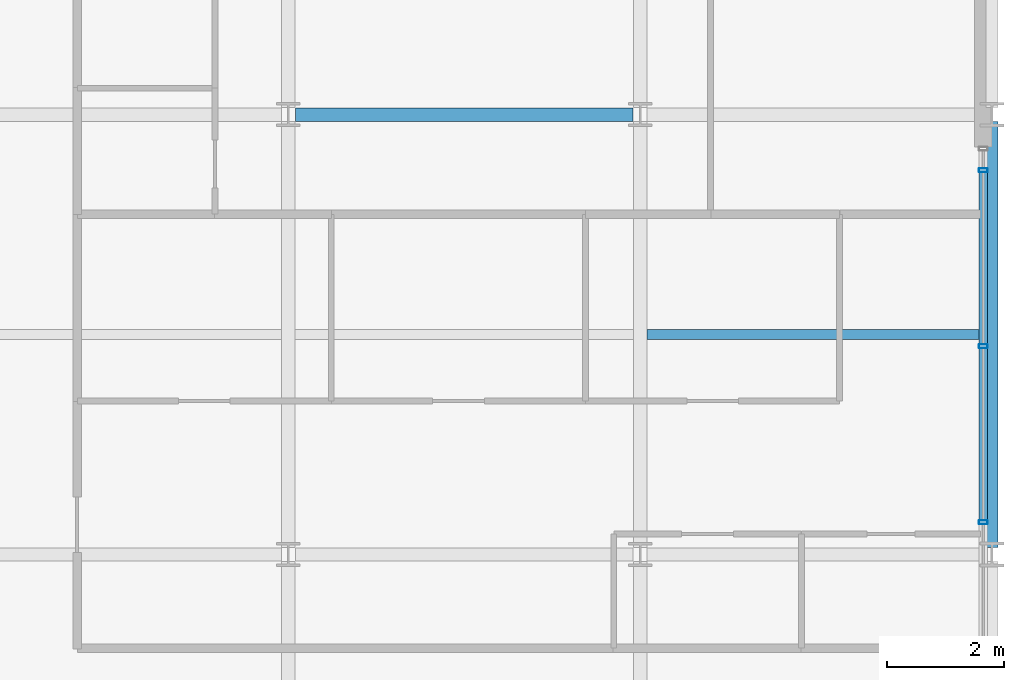
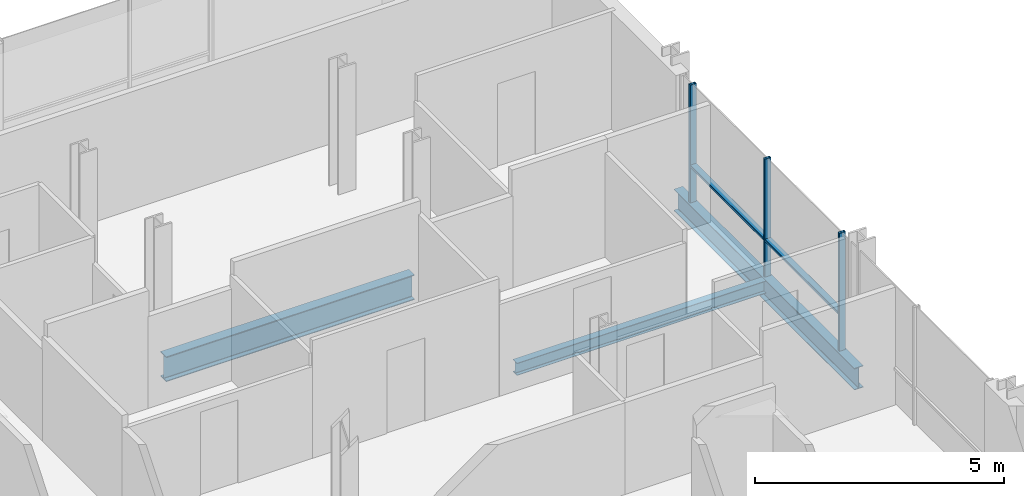
# One storey, part 21 of 41: 5 members, 3 beams, 1 element without a shape of its own.
"""IFC4 building model written with IfcOpenShell, lengths in metres."""

from ifc_helpers import new_model, si_unit, direction, frame, origin, origin_2d, place, context, subcontext, project, spatial, hollow_rectangle, i_section, extrude, material, layer, layer_set, material_profile, profile_set, type_object, element, aggregate, save


model = new_model("IFC4")

# Units and contexts
model_context = context("Model", 3, precision=1e-05, world=origin(), true_north=direction((0.0, 1.0)))
body_context = subcontext(model_context, "Body", "Model", "MODEL_VIEW")
ifc_project = project(units=[si_unit("LENGTHUNIT", "METRE"), si_unit("AREAUNIT", "SQUARE_METRE"), si_unit("VOLUMEUNIT", "CUBIC_METRE"), si_unit("PLANEANGLEUNIT", "RADIAN"), si_unit("MASSUNIT", "GRAM", prefix="KILO")], contexts=[model_context])

# Site, building, storey
site_placement = place(None, origin())
site = spatial("IfcSite", under=ifc_project, at=site_placement, CompositionType="ELEMENT")
building_placement = place(site_placement, origin())
building = spatial("IfcBuilding", under=site, at=building_placement, Name="Brevholm Reach", CompositionType="ELEMENT")
storey_placement = place(building_placement, frame((0.0, 0.0, 169.699951171875)))
storey = spatial("IfcBuildingStorey", under=building, at=storey_placement, Name="L51", CompositionType="ELEMENT", Elevation=169.699951171875)

# Beams
ifc_material_1 = material(Name="Structural Steel S355J2", Category="steel")
ifc_material_profile_1 = material_profile(ifc_material_1, i_section(OverallWidth=0.1650390625, OverallDepth=0.303466796875, WebThickness=0.006103515625, FlangeThickness=0.01025390625, FilletRadius=0.0087890625, at=origin_2d()), Name="UKB 305x165x40")
ifc_profile_set_1 = profile_set([ifc_material_profile_1], Name="Structural Steel S355J2")
beam_type_1 = type_object("IfcBeamType", Name="BM-B305", PredefinedType="BEAM", material=ifc_profile_set_1)
beam_1_placement = place(storey_placement, frame((54.114501953125, 19.75, -0.37158203125), z_axis=(1.0, 0.0, 0.0), x_axis=(0.0, 1.0, 0.0)))
element("IfcBeam", 1, at=beam_1_placement, inside=storey, type_object=beam_type_1, Name="L51 Composite Secondary Floor Beam", PredefinedType="BEAM", context=body_context, shape_type="SweptSolid", body=[
    extrude(i_section(OverallWidth=0.1650390625, OverallDepth=0.303466796875, WebThickness=0.006103515625, FlangeThickness=0.01025390625, FilletRadius=0.0087890625, at=origin_2d()), origin(), (0.0, 0.0, 1.0), 5.78076171875),
])
ifc_material_2 = material(Name="Structural Steel S355J2", Category="steel")
ifc_material_profile_2 = material_profile(ifc_material_2, i_section(OverallWidth=0.209228515625, OverallDepth=0.533203125, WebThickness=0.010009765625, FlangeThickness=0.015625, FilletRadius=0.0126953125, at=origin_2d()), Name="UKB 533x210x92")
ifc_profile_set_2 = profile_set([ifc_material_profile_2], Name="Structural Steel S355J2")
beam_type_2 = type_object("IfcBeamType", Name="BM-SP533", PredefinedType="SPANDREL", material=ifc_profile_set_2)
beam_2_placement = place(storey_placement, frame((60.0, 16.1201171875, -0.486572265625), z_axis=(0.0, 1.0, 0.0), x_axis=(-1.0, 0.0, 0.0)))
element("IfcBeam", 2, at=beam_2_placement, inside=storey, type_object=beam_type_2, Name="L51 SP-02 Framing Beam", PredefinedType="SPANDREL", context=body_context, shape_type="SweptSolid", body=[
    extrude(i_section(OverallWidth=0.209228515625, OverallDepth=0.533203125, WebThickness=0.010009765625, FlangeThickness=0.015625, FilletRadius=0.0126953125, at=origin_2d()), origin(), (0.0, 0.0, 1.0), 7.259765625),
])
ifc_material_3 = material(Name="Structural Steel S355J2", Category="steel")
ifc_material_profile_3 = material_profile(ifc_material_3, i_section(OverallWidth=0.22900390625, OverallDepth=0.6123046875, WebThickness=0.011962890625, FlangeThickness=0.01953125, FilletRadius=0.0126953125, at=origin_2d()), Name="UKB 610x229x125")
ifc_profile_set_3 = profile_set([ifc_material_profile_3], Name="Structural Steel S355J2")
beam_type_3 = type_object("IfcBeamType", Name="BM-SP610", PredefinedType="SPANDREL", material=ifc_profile_set_3)
beam_3_placement = place(storey_placement, frame((48.1201171875, 23.5, -0.526123046875), z_axis=(1.0, 0.0, 0.0), x_axis=(0.0, 1.0, 0.0)))
element("IfcBeam", 3, at=beam_3_placement, inside=storey, type_object=beam_type_3, Name="L51 SP-01 Framing Beam", PredefinedType="SPANDREL", context=body_context, shape_type="SweptSolid", body=[
    extrude(i_section(OverallWidth=0.22900390625, OverallDepth=0.6123046875, WebThickness=0.011962890625, FlangeThickness=0.01953125, FilletRadius=0.0126953125, at=origin_2d()), origin(), (0.0, 0.0, 1.0), 5.759765625),
])

# Curtain wall, members
ifc_material_4 = material(Name="Dark Anodised Aluminium 6063-T6 and Solar-Control Glass", Category="aluminium")
ifc_layer = layer(ifc_material_4, 0.14990234375)
ifc_layer_set = layer_set([ifc_layer], Name="Dark Anodised Aluminium 6063-T6 and Solar-Control Glass")
curtain_wall_type = type_object("IfcCurtainWallType", Name="CW-01", PredefinedType="NOTDEFINED", material=ifc_layer_set)
curtain_wall_placement = place(storey_placement, origin())
curtain_wall = element("IfcCurtainWall", 4, at=curtain_wall_placement, inside=storey, type_object=curtain_wall_type, Name="L51 Curtain Wall CW-01", PredefinedType="NOTDEFINED")
ifc_material_5 = material(Name="Dark Anodised Aluminium 6063-T6", Category="aluminium")
ifc_material_profile_4 = material_profile(ifc_material_5, hollow_rectangle(XDim=0.06494140625, YDim=0.14990234375, WallThickness=0.0048828125, InnerFilletRadius=0.0048828125, OuterFilletRadius=0.010009765625, at=origin_2d()), Name="RHS 150x65x5")
ifc_profile_set_4 = profile_set([ifc_material_profile_4], Name="Dark Anodised Aluminium 6063-T6")
member_type_1 = type_object("IfcMemberType", Name="CWM-150", PredefinedType="MULLION", material=ifc_profile_set_4)
member_1_placement = place(storey_placement, frame((59.85009765625, 16.550048828125, 0.0), z_axis=(0.0, 0.0, 1.0), x_axis=(0.0, 1.0, 0.0)))
member_1 = element("IfcMember", 5, at=member_1_placement, type_object=member_type_1, Name="CM-150 Mullion 3", PredefinedType="MULLION", context=body_context, shape_type="SweptSolid", body=[
    extrude(hollow_rectangle(XDim=0.06494140625, YDim=0.14990234375, WallThickness=0.0048828125, InnerFilletRadius=0.0048828125, OuterFilletRadius=0.010009765625, at=origin_2d()), origin(), (0.0, 0.0, 1.0), 2.89013671875),
])
member_2_placement = place(storey_placement, frame((59.85009765625, 19.550048828125, 0.0), z_axis=(0.0, 0.0, 1.0), x_axis=(0.0, 1.0, 0.0)))
member_2 = element("IfcMember", 6, at=member_2_placement, type_object=member_type_1, Name="CM-150 Mullion 4", PredefinedType="MULLION", context=body_context, shape_type="SweptSolid", body=[
    extrude(hollow_rectangle(XDim=0.06494140625, YDim=0.14990234375, WallThickness=0.0048828125, InnerFilletRadius=0.0048828125, OuterFilletRadius=0.010009765625, at=origin_2d()), origin(), (0.0, 0.0, 1.0), 2.89013671875),
])
member_3_placement = place(storey_placement, frame((59.85009765625, 22.550048828125, 0.0), z_axis=(0.0, 0.0, 1.0), x_axis=(0.0, 1.0, 0.0)))
member_3 = element("IfcMember", 7, at=member_3_placement, type_object=member_type_1, Name="CM-150 Mullion 5", PredefinedType="MULLION", context=body_context, shape_type="SweptSolid", body=[
    extrude(hollow_rectangle(XDim=0.06494140625, YDim=0.14990234375, WallThickness=0.0048828125, InnerFilletRadius=0.0048828125, OuterFilletRadius=0.010009765625, at=origin_2d()), origin(), (0.0, 0.0, 1.0), 2.89013671875),
])
ifc_material_6 = material(Name="Dark Anodised Aluminium 6063-T6", Category="aluminium")
ifc_material_profile_5 = material_profile(ifc_material_6, hollow_rectangle(XDim=0.06494140625, YDim=0.14990234375, WallThickness=0.0048828125, InnerFilletRadius=0.0048828125, OuterFilletRadius=0.010009765625, at=origin_2d()), Name="RHS 150x65x5")
ifc_profile_set_5 = profile_set([ifc_material_profile_5], Name="Dark Anodised Aluminium 6063-T6")
member_type_2 = type_object("IfcMemberType", Name="CWT-150", PredefinedType="NOTDEFINED", material=ifc_profile_set_5)
member_4_placement = place(storey_placement, frame((59.85009765625, 16.58251953125, 0.900146484375), z_axis=(0.0, 1.0, 0.0), x_axis=(0.0, 0.0, 1.0)))
member_4 = element("IfcMember", 8, at=member_4_placement, type_object=member_type_2, Name="CT-150 Transom 3.1", ObjectType="TRANSOM", PredefinedType="USERDEFINED", context=body_context, shape_type="SweptSolid", body=[
    extrude(hollow_rectangle(XDim=0.06494140625, YDim=0.14990234375, WallThickness=0.0048828125, InnerFilletRadius=0.0048828125, OuterFilletRadius=0.010009765625, at=origin_2d()), origin(), (0.0, 0.0, 1.0), 2.93505859375),
])
member_5_placement = place(storey_placement, frame((59.85009765625, 19.58251953125, 0.900146484375), z_axis=(0.0, 1.0, 0.0), x_axis=(0.0, 0.0, 1.0)))
member_5 = element("IfcMember", 9, at=member_5_placement, type_object=member_type_2, Name="CT-150 Transom 4.1", ObjectType="TRANSOM", PredefinedType="USERDEFINED", context=body_context, shape_type="SweptSolid", body=[
    extrude(hollow_rectangle(XDim=0.06494140625, YDim=0.14990234375, WallThickness=0.0048828125, InnerFilletRadius=0.0048828125, OuterFilletRadius=0.010009765625, at=origin_2d()), origin(), (0.0, 0.0, 1.0), 2.93505859375),
])
aggregate(curtain_wall, [member_1, member_2, member_3, member_4, member_5])

save(model, "model.ifc")
